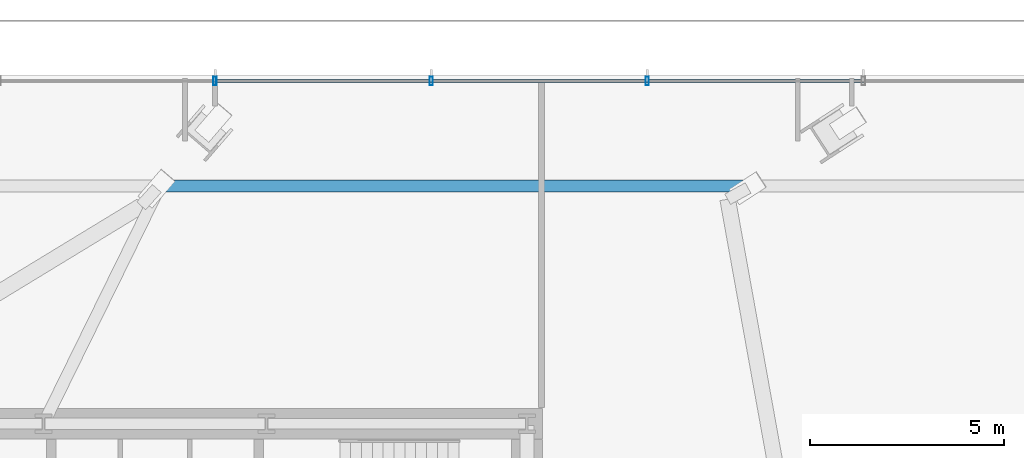
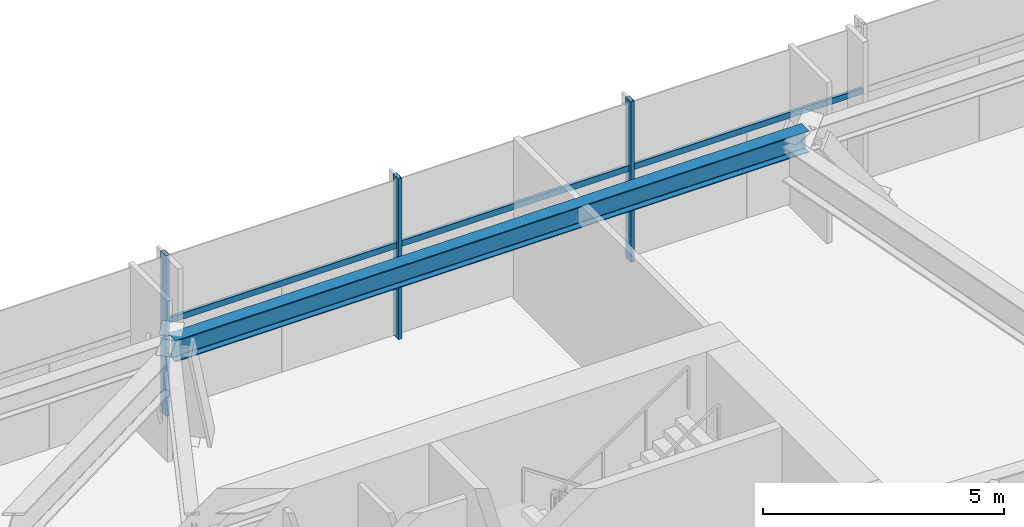
# One storey, part 17 of 30: 6 members, 1 beam, 1 element without a shape of its own.
"""IFC4 building model written with IfcOpenShell, lengths in metres."""

from ifc_helpers import new_model, si_unit, direction, frame, origin, origin_2d, place, context, subcontext, project, spatial, hollow_rectangle, i_section, extrude, source, transform, mapped, material, material_profile, profile_set, type_object, type_shapes, element, aggregate, save


model = new_model("IFC4")

# Units and contexts
model_context = context("Model", 3, precision=1e-05, world=origin(), true_north=direction((0.0, 1.0)))
body_context = subcontext(model_context, "Body", "Model", "MODEL_VIEW")
ifc_project = project(units=[si_unit("LENGTHUNIT", "METRE"), si_unit("AREAUNIT", "SQUARE_METRE"), si_unit("VOLUMEUNIT", "CUBIC_METRE"), si_unit("PLANEANGLEUNIT", "RADIAN"), si_unit("MASSUNIT", "GRAM", prefix="KILO")], contexts=[model_context])

# Site, building, storey
site_placement = place(None, origin())
site = spatial("IfcSite", under=ifc_project, at=site_placement, CompositionType="ELEMENT")
building_placement = place(site_placement, origin())
building = spatial("IfcBuilding", under=site, at=building_placement, Name="Astriad Promenade Condominiums", CompositionType="ELEMENT")
storey_placement = place(building_placement, frame((0.0, 0.0, 14.0)))
storey = spatial("IfcBuildingStorey", under=building, at=storey_placement, Name="L03", CompositionType="ELEMENT", Elevation=14.0)

# Beam
ifc_material_1 = material(Name="Steel ASTM A992 Grade 50", Category="steel")
ifc_material_profile_1 = material_profile(ifc_material_1, i_section(OverallWidth=0.3134765625, OverallDepth=0.54638671875, WebThickness=0.013916015625, FlangeThickness=0.022216796875, FilletRadius=0.0166015625, at=origin_2d()), Name="W21X111")
ifc_profile_set_1 = profile_set([ifc_material_profile_1], Name="Steel ASTM A992 Grade 50")
beam_type = type_object("IfcBeamType", Name="STEEL SPANDREL BEAM W21X111", PredefinedType="SPANDREL", material=ifc_profile_set_1)
shared_shape_1 = source(origin(), body_context, "Body", "SweptSolid", [
    extrude(i_section(OverallWidth=0.3134765625, OverallDepth=0.54638671875, WebThickness=0.013916015625, FlangeThickness=0.022216796875, FilletRadius=0.0166015625, at=origin_2d()), origin(), (0.0, 0.0, 1.0), 15.2119140625),
])
type_shapes(beam_type, [shared_shape_1])
beam_placement = place(storey_placement, frame((51.355712890625, 30.140380859375, 3.806884765625), z_axis=(-1.0, 0.0, 0.0), x_axis=(0.0, -1.0, 0.0)))
element("IfcBeam", 1, at=beam_placement, inside=storey, type_object=beam_type, Name="Perimeter Spandrel Beam SP-N3-L03", PredefinedType="SPANDREL", context=body_context, shape_type="MappedRepresentation", body=[
    mapped(shared_shape_1, transform((0.0, 0.0, 0.0), scale=1.0)),
])

# Curtain wall, members
ifc_material_2 = material(Name="Anodised aluminium Black Dark Glass Unitised", Category="aluminium")
curtain_wall_type = type_object("IfcCurtainWallType", Name="CW-POD-DARK", PredefinedType="USERDEFINED", material=ifc_material_2)
curtain_wall_placement = place(storey_placement, origin())
curtain_wall = element("IfcCurtainWall", 2, at=curtain_wall_placement, inside=storey, type_object=curtain_wall_type, Name="CW-L03-N", ObjectType="UNITISED_CURTAIN_WALL", PredefinedType="USERDEFINED")
ifc_material_3 = material(Name="Anodised aluminium 6063-T6 Black", Category="aluminium")
ifc_material_profile_2 = material_profile(ifc_material_3, hollow_rectangle(XDim=0.0849609375, YDim=0.219970703125, WallThickness=0.0048828125, at=origin_2d()), Name="ALU-MUL-85X220")
ifc_profile_set_2 = profile_set([ifc_material_profile_2], Name="Anodised aluminium 6063-T6 Black")
member_type_1 = type_object("IfcMemberType", Name="MUL-ALU-MUL-85X220", PredefinedType="MULLION", material=ifc_profile_set_2)
shared_shape_2 = source(origin(), body_context, "Body", "SweptSolid", [
    extrude(hollow_rectangle(XDim=0.0849609375, YDim=0.219970703125, WallThickness=0.0048828125, at=origin_2d()), origin(), (0.0, 0.0, 1.0), 4.080078125),
])
type_shapes(member_type_1, [shared_shape_2])
member_1_placement = place(storey_placement, frame((37.550048828125, 32.85009765625, 0.0), z_axis=(0.0, 0.0, 1.0), x_axis=(1.0, 0.0, 0.0)))
member_1 = element("IfcMember", 3, at=member_1_placement, type_object=member_type_1, Name="CW-L03-N-MUL-05", PredefinedType="MULLION", context=body_context, shape_type="MappedRepresentation", body=[
    mapped(shared_shape_2, transform((0.0, 0.0, 0.0), scale=1.0)),
])
member_2_placement = place(storey_placement, frame((43.1298828125, 32.85009765625, 0.0), z_axis=(0.0, 0.0, 1.0), x_axis=(1.0, 0.0, 0.0)))
member_2 = element("IfcMember", 4, at=member_2_placement, type_object=member_type_1, Name="CW-L03-N-MUL-06", PredefinedType="MULLION", context=body_context, shape_type="MappedRepresentation", body=[
    mapped(shared_shape_2, transform((0.0, 0.0, 0.0), scale=1.0)),
])
member_3_placement = place(storey_placement, frame((48.7099609375, 32.85009765625, 0.0), z_axis=(0.0, 0.0, 1.0), x_axis=(1.0, 0.0, 0.0)))
member_3 = element("IfcMember", 5, at=member_3_placement, type_object=member_type_1, Name="CW-L03-N-MUL-07", PredefinedType="MULLION", context=body_context, shape_type="MappedRepresentation", body=[
    mapped(shared_shape_2, transform((0.0, 0.0, 0.0), scale=1.0)),
])
ifc_material_profile_3 = material_profile(ifc_material_3, hollow_rectangle(XDim=0.074951171875, YDim=0.14990234375, WallThickness=0.004150390625, at=origin_2d()), Name="ALU-TRN-75X150")
ifc_profile_set_3 = profile_set([ifc_material_profile_3], Name="Anodised aluminium 6063-T6 Black")
member_type_2 = type_object("IfcMemberType", Name="TRN-ALU-TRN-75X150", PredefinedType="USERDEFINED", material=ifc_profile_set_3)
shared_shape_3 = source(origin(), body_context, "Body", "SweptSolid", [
    extrude(hollow_rectangle(XDim=0.074951171875, YDim=0.14990234375, WallThickness=0.004150390625, at=origin_2d()), origin(), (0.0, 0.0, 1.0), 5.580078125),
])
member_4_placement = place(storey_placement, frame((43.1298828125, 32.85009765625, 2.35009765625), z_axis=(1.0, 0.0, 0.0), x_axis=(0.0, 1.0, 0.0)))
member_4 = element("IfcMember", 6, at=member_4_placement, type_object=member_type_2, Name="CW-L03-N-TRN-06-0", ObjectType="TRANSOM", PredefinedType="USERDEFINED", context=body_context, shape_type="MappedRepresentation", body=[
    mapped(shared_shape_3, transform((0.0, 0.0, 0.0), scale=1.0)),
])
member_5_placement = place(storey_placement, frame((48.7099609375, 32.85009765625, 2.35009765625), z_axis=(1.0, 0.0, 0.0), x_axis=(0.0, 1.0, 0.0)))
member_5 = element("IfcMember", 7, at=member_5_placement, type_object=member_type_2, Name="CW-L03-N-TRN-07-0", ObjectType="TRANSOM", PredefinedType="USERDEFINED", context=body_context, shape_type="MappedRepresentation", body=[
    mapped(shared_shape_3, transform((0.0, 0.0, 0.0), scale=1.0)),
])
shared_shape_4 = source(origin(), body_context, "Body", "SweptSolid", [
    extrude(hollow_rectangle(XDim=0.074951171875, YDim=0.14990234375, WallThickness=0.004150390625, at=origin_2d()), origin(), (0.0, 0.0, 1.0), 5.579833984375),
])
type_shapes(member_type_2, [shared_shape_3, shared_shape_4])
member_6_placement = place(storey_placement, frame((37.550048828125, 32.85009765625, 2.35009765625), z_axis=(1.0, 0.0, 0.0), x_axis=(0.0, 1.0, 0.0)))
member_6 = element("IfcMember", 8, at=member_6_placement, type_object=member_type_2, Name="CW-L03-N-TRN-05-0", ObjectType="TRANSOM", PredefinedType="USERDEFINED", context=body_context, shape_type="MappedRepresentation", body=[
    mapped(shared_shape_4, transform((0.0, 0.0, 0.0), scale=1.0)),
])
aggregate(curtain_wall, [member_1, member_2, member_3, member_6, member_4, member_5])

save(model, "model.ifc")
